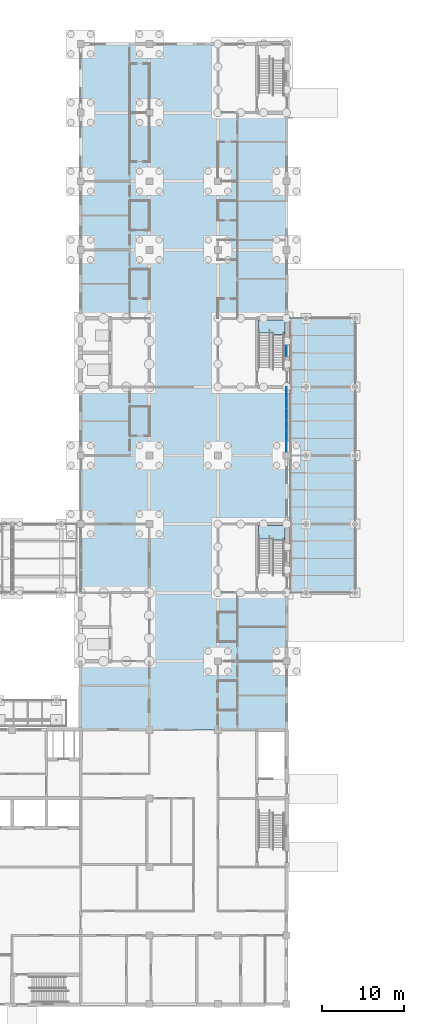
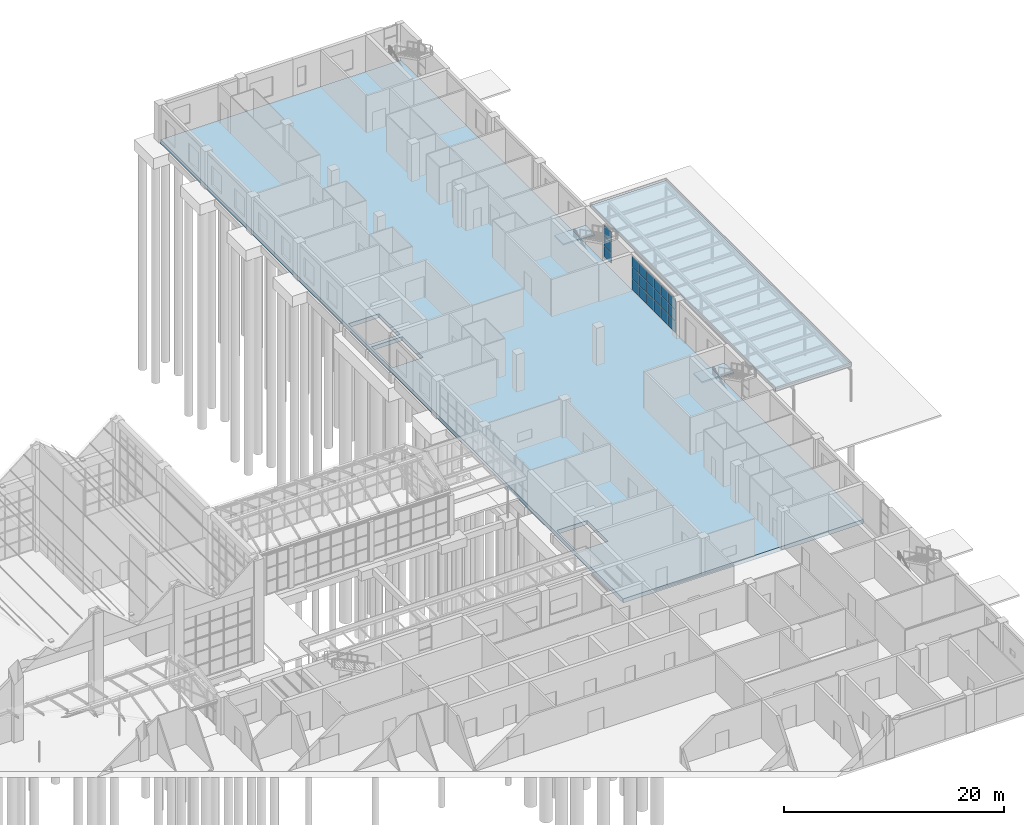
# One storey, part 91 of 138: 21 plates, 4 slabs, 4 elements without a shape of their own.
"""IFC4 building model written with IfcOpenShell, lengths in metres."""

from ifc_helpers import new_model, si_unit, direction, frame, origin, origin_2d, place, context, subcontext, project, spatial, polyline, rectangle, outline, extrude, material, layer, layer_set, type_object, element, aggregate, save


model = new_model("IFC4")

# Units and contexts
model_context = context("Model", 3, precision=1e-05, world=origin(), true_north=direction((0.0, 1.0)))
body_context = subcontext(model_context, "Body", "Model", "MODEL_VIEW")
ifc_project = project(units=[si_unit("LENGTHUNIT", "METRE"), si_unit("AREAUNIT", "SQUARE_METRE"), si_unit("VOLUMEUNIT", "CUBIC_METRE"), si_unit("PLANEANGLEUNIT", "RADIAN"), si_unit("MASSUNIT", "GRAM", prefix="KILO")], contexts=[model_context])

# Site, building, storey
site_placement = place(None, origin())
site = spatial("IfcSite", under=ifc_project, at=site_placement, CompositionType="ELEMENT")
building_placement = place(site_placement, origin())
building = spatial("IfcBuilding", under=site, at=building_placement, Name="Yavir Park General Hospital", CompositionType="ELEMENT")
storey_placement = place(building_placement, origin())
storey = spatial("IfcBuildingStorey", under=building, at=storey_placement, Name="L00", CompositionType="ELEMENT", Elevation=0.0)

# Curtain wall, plates
ifc_material_1 = material(Name="Aluminium curtain wall frame with insulated glazing", Category="aluminium")
curtain_wall_type_1 = type_object("IfcCurtainWallType", Name="Ambulance entrance glazing, 3840 high, 1400 module", PredefinedType="NOTDEFINED", material=ifc_material_1)
curtain_wall_1_placement = place(storey_placement, origin())
curtain_wall_1 = element("IfcCurtainWall", 1, at=curtain_wall_1_placement, inside=storey, type_object=curtain_wall_type_1, Name="CW13 L00-075", PredefinedType="NOTDEFINED")
ifc_material_2 = material(Name="Impact-resistant glazed unit 60 mm")
ifc_layer_1 = layer(ifc_material_2, 0.06005859375)
ifc_layer_set_1 = layer_set([ifc_layer_1], Name="Impact-resistant glazed unit 60 mm")
plate_type_1 = type_object("IfcPlateType", Name="Ambulance entrance glazing, 3840 high panel 60", PredefinedType="CURTAIN_PANEL", material=ifc_layer_set_1)
plate_1_placement = place(storey_placement, frame((168.0, 68.3046875, 0.06005859375), z_axis=(0.0, 0.0, 1.0), x_axis=(0.0, 1.0, 0.0)))
plate_1 = element("IfcPlate", 2, at=plate_1_placement, type_object=plate_type_1, Name="CW13 panel 1.1", PredefinedType="CURTAIN_PANEL", context=body_context, shape_type="SweptSolid", body=[
    extrude(rectangle(XDim=1.2392578125, YDim=0.06005859375, at=origin_2d()), origin(), (0.0, 0.0, 1.0), 1.18994140625),
])
plate_2_placement = place(storey_placement, frame((168.0, 68.3046875, 1.31005859375), z_axis=(0.0, 0.0, 1.0), x_axis=(0.0, 1.0, 0.0)))
plate_2 = element("IfcPlate", 3, at=plate_2_placement, type_object=plate_type_1, Name="CW13 panel 1.2", PredefinedType="CURTAIN_PANEL", context=body_context, shape_type="SweptSolid", body=[
    extrude(rectangle(XDim=1.2392578125, YDim=0.06005859375, at=origin_2d()), origin(), (0.0, 0.0, 1.0), 1.219970703125),
])
plate_3_placement = place(storey_placement, frame((168.0, 68.3046875, 2.590087890625), z_axis=(0.0, 0.0, 1.0), x_axis=(0.0, 1.0, 0.0)))
plate_3 = element("IfcPlate", 4, at=plate_3_placement, type_object=plate_type_1, Name="CW13 panel 1.3", PredefinedType="CURTAIN_PANEL", context=body_context, shape_type="SweptSolid", body=[
    extrude(rectangle(XDim=1.2392578125, YDim=0.06005859375, at=origin_2d()), origin(), (0.0, 0.0, 1.0), 1.18994140625),
])
plate_4_placement = place(storey_placement, frame((168.0, 69.61865234375, 0.06005859375), z_axis=(0.0, 0.0, 1.0), x_axis=(0.0, 1.0, 0.0)))
plate_4 = element("IfcPlate", 5, at=plate_4_placement, type_object=plate_type_1, Name="CW13 panel 2.1", PredefinedType="CURTAIN_PANEL", context=body_context, shape_type="SweptSolid", body=[
    extrude(rectangle(XDim=1.269287109375, YDim=0.06005859375, at=origin_2d()), origin(), (0.0, 0.0, 1.0), 1.18994140625),
])
plate_5_placement = place(storey_placement, frame((168.0, 69.61865234375, 1.31005859375), z_axis=(0.0, 0.0, 1.0), x_axis=(0.0, 1.0, 0.0)))
plate_5 = element("IfcPlate", 6, at=plate_5_placement, type_object=plate_type_1, Name="CW13 panel 2.2", PredefinedType="CURTAIN_PANEL", context=body_context, shape_type="SweptSolid", body=[
    extrude(rectangle(XDim=1.269287109375, YDim=0.06005859375, at=origin_2d()), origin(), (0.0, 0.0, 1.0), 1.219970703125),
])
plate_6_placement = place(storey_placement, frame((168.0, 69.61865234375, 2.590087890625), z_axis=(0.0, 0.0, 1.0), x_axis=(0.0, 1.0, 0.0)))
plate_6 = element("IfcPlate", 7, at=plate_6_placement, type_object=plate_type_1, Name="CW13 panel 2.3", PredefinedType="CURTAIN_PANEL", context=body_context, shape_type="SweptSolid", body=[
    extrude(rectangle(XDim=1.269287109375, YDim=0.06005859375, at=origin_2d()), origin(), (0.0, 0.0, 1.0), 1.18994140625),
])
plate_7_placement = place(storey_placement, frame((168.0, 70.947998046875, 0.06005859375), z_axis=(0.0, 0.0, 1.0), x_axis=(0.0, 1.0, 0.0)))
plate_7 = element("IfcPlate", 8, at=plate_7_placement, type_object=plate_type_1, Name="CW13 panel 3.1", PredefinedType="CURTAIN_PANEL", context=body_context, shape_type="SweptSolid", body=[
    extrude(rectangle(XDim=1.269287109375, YDim=0.06005859375, at=origin_2d()), origin(), (0.0, 0.0, 1.0), 1.18994140625),
])
plate_8_placement = place(storey_placement, frame((168.0, 70.947998046875, 1.31005859375), z_axis=(0.0, 0.0, 1.0), x_axis=(0.0, 1.0, 0.0)))
plate_8 = element("IfcPlate", 9, at=plate_8_placement, type_object=plate_type_1, Name="CW13 panel 3.2", PredefinedType="CURTAIN_PANEL", context=body_context, shape_type="SweptSolid", body=[
    extrude(rectangle(XDim=1.269287109375, YDim=0.06005859375, at=origin_2d()), origin(), (0.0, 0.0, 1.0), 1.219970703125),
])
plate_9_placement = place(storey_placement, frame((168.0, 70.947998046875, 2.590087890625), z_axis=(0.0, 0.0, 1.0), x_axis=(0.0, 1.0, 0.0)))
plate_9 = element("IfcPlate", 10, at=plate_9_placement, type_object=plate_type_1, Name="CW13 panel 3.3", PredefinedType="CURTAIN_PANEL", context=body_context, shape_type="SweptSolid", body=[
    extrude(rectangle(XDim=1.269287109375, YDim=0.06005859375, at=origin_2d()), origin(), (0.0, 0.0, 1.0), 1.18994140625),
])
plate_10_placement = place(storey_placement, frame((168.0, 72.277099609375, 0.06005859375), z_axis=(0.0, 0.0, 1.0), x_axis=(0.0, 1.0, 0.0)))
plate_10 = element("IfcPlate", 11, at=plate_10_placement, type_object=plate_type_1, Name="CW13 panel 4.1", PredefinedType="CURTAIN_PANEL", context=body_context, shape_type="SweptSolid", body=[
    extrude(rectangle(XDim=1.269287109375, YDim=0.06005859375, at=origin_2d()), origin(), (0.0, 0.0, 1.0), 1.18994140625),
])
plate_11_placement = place(storey_placement, frame((168.0, 72.277099609375, 1.31005859375), z_axis=(0.0, 0.0, 1.0), x_axis=(0.0, 1.0, 0.0)))
plate_11 = element("IfcPlate", 12, at=plate_11_placement, type_object=plate_type_1, Name="CW13 panel 4.2", PredefinedType="CURTAIN_PANEL", context=body_context, shape_type="SweptSolid", body=[
    extrude(rectangle(XDim=1.269287109375, YDim=0.06005859375, at=origin_2d()), origin(), (0.0, 0.0, 1.0), 1.219970703125),
])
plate_12_placement = place(storey_placement, frame((168.0, 72.277099609375, 2.590087890625), z_axis=(0.0, 0.0, 1.0), x_axis=(0.0, 1.0, 0.0)))
plate_12 = element("IfcPlate", 13, at=plate_12_placement, type_object=plate_type_1, Name="CW13 panel 4.3", PredefinedType="CURTAIN_PANEL", context=body_context, shape_type="SweptSolid", body=[
    extrude(rectangle(XDim=1.269287109375, YDim=0.06005859375, at=origin_2d()), origin(), (0.0, 0.0, 1.0), 1.18994140625),
])
plate_13_placement = place(storey_placement, frame((168.0, 73.606201171875, 0.06005859375), z_axis=(0.0, 0.0, 1.0), x_axis=(0.0, 1.0, 0.0)))
plate_13 = element("IfcPlate", 14, at=plate_13_placement, type_object=plate_type_1, Name="CW13 panel 5.1", PredefinedType="CURTAIN_PANEL", context=body_context, shape_type="SweptSolid", body=[
    extrude(rectangle(XDim=1.269287109375, YDim=0.06005859375, at=origin_2d()), origin(), (0.0, 0.0, 1.0), 1.18994140625),
])
plate_14_placement = place(storey_placement, frame((168.0, 73.606201171875, 1.31005859375), z_axis=(0.0, 0.0, 1.0), x_axis=(0.0, 1.0, 0.0)))
plate_14 = element("IfcPlate", 15, at=plate_14_placement, type_object=plate_type_1, Name="CW13 panel 5.2", PredefinedType="CURTAIN_PANEL", context=body_context, shape_type="SweptSolid", body=[
    extrude(rectangle(XDim=1.269287109375, YDim=0.06005859375, at=origin_2d()), origin(), (0.0, 0.0, 1.0), 1.219970703125),
])
plate_15_placement = place(storey_placement, frame((168.0, 73.606201171875, 2.590087890625), z_axis=(0.0, 0.0, 1.0), x_axis=(0.0, 1.0, 0.0)))
plate_15 = element("IfcPlate", 16, at=plate_15_placement, type_object=plate_type_1, Name="CW13 panel 5.3", PredefinedType="CURTAIN_PANEL", context=body_context, shape_type="SweptSolid", body=[
    extrude(rectangle(XDim=1.269287109375, YDim=0.06005859375, at=origin_2d()), origin(), (0.0, 0.0, 1.0), 1.18994140625),
])
plate_16_placement = place(storey_placement, frame((168.0, 74.92041015625, 0.06005859375), z_axis=(0.0, 0.0, 1.0), x_axis=(0.0, 1.0, 0.0)))
plate_16 = element("IfcPlate", 17, at=plate_16_placement, type_object=plate_type_1, Name="CW13 panel 6.1", PredefinedType="CURTAIN_PANEL", context=body_context, shape_type="SweptSolid", body=[
    extrude(rectangle(XDim=1.2392578125, YDim=0.06005859375, at=origin_2d()), origin(), (0.0, 0.0, 1.0), 1.18994140625),
])
plate_17_placement = place(storey_placement, frame((168.0, 74.92041015625, 1.31005859375), z_axis=(0.0, 0.0, 1.0), x_axis=(0.0, 1.0, 0.0)))
plate_17 = element("IfcPlate", 18, at=plate_17_placement, type_object=plate_type_1, Name="CW13 panel 6.2", PredefinedType="CURTAIN_PANEL", context=body_context, shape_type="SweptSolid", body=[
    extrude(rectangle(XDim=1.2392578125, YDim=0.06005859375, at=origin_2d()), origin(), (0.0, 0.0, 1.0), 1.219970703125),
])
plate_18_placement = place(storey_placement, frame((168.0, 74.92041015625, 2.590087890625), z_axis=(0.0, 0.0, 1.0), x_axis=(0.0, 1.0, 0.0)))
plate_18 = element("IfcPlate", 19, at=plate_18_placement, type_object=plate_type_1, Name="CW13 panel 6.3", PredefinedType="CURTAIN_PANEL", context=body_context, shape_type="SweptSolid", body=[
    extrude(rectangle(XDim=1.2392578125, YDim=0.06005859375, at=origin_2d()), origin(), (0.0, 0.0, 1.0), 1.18994140625),
])
aggregate(curtain_wall_1, [plate_1, plate_2, plate_3, plate_4, plate_5, plate_6, plate_7, plate_8, plate_9, plate_10, plate_11, plate_12, plate_13, plate_14, plate_15, plate_16, plate_17, plate_18])

# Stair, slab
ifc_material_3 = material(Name="Concrete C30/37", Category="concrete")
stair_type = type_object("IfcStairType", Name="Patient escape stair, 30 risers of 150 mm, 1400 mm flights", PredefinedType="HALF_TURN_STAIR", material=ifc_material_3)
stair_1_placement = place(storey_placement, origin())
stair_1 = element("IfcStair", 20, at=stair_1_placement, inside=storey, type_object=stair_type, Name="Stair ES1, L00 to L01", PredefinedType="HALF_TURN_STAIR")
ifc_material_4 = material(Name="Concrete C30/37", Category="concrete")
ifc_layer_2 = layer(ifc_material_4, 0.159912109375)
ifc_layer_set_2 = layer_set([ifc_layer_2], Name="Concrete C30/37")
slab_type_1 = type_object("IfcSlabType", Name="Patient escape stair half landing, reinforced concrete 160 mm", PredefinedType="LANDING", material=ifc_layer_set_2)
slab_1_placement = place(storey_placement, frame((0.0, 0.0, 2.090087890625)))
slab_1 = element("IfcSlab", 21, at=slab_1_placement, type_object=slab_type_1, Name="ES1 landing 1", PredefinedType="LANDING", context=body_context, shape_type="SweptSolid", body=[
    extrude(outline(polyline([(164.60009765625, 56.99853515625), (164.60009765625, 58.60009765625), (167.85009765625, 58.60009765625), (167.85009765625, 56.85009765625), (166.300048828125, 56.85009765625), (166.300048828125, 56.99853515625), (164.60009765625, 56.99853515625)])), origin(), (0.0, 0.0, 1.0), 0.159912109375),
])
aggregate(stair_1, [slab_1])

stair_2_placement = place(storey_placement, origin())
stair_2 = element("IfcStair", 22, at=stair_2_placement, inside=storey, type_object=stair_type, Name="Stair ES2, L00 to L01", PredefinedType="HALF_TURN_STAIR")
slab_2_placement = place(storey_placement, frame((0.0, 0.0, 2.090087890625)))
slab_2 = element("IfcSlab", 23, at=slab_2_placement, type_object=slab_type_1, Name="ES2 landing 1", PredefinedType="LANDING", context=body_context, shape_type="SweptSolid", body=[
    extrude(outline(polyline([(164.60009765625, 82.198486328125), (164.60009765625, 83.800048828125), (167.85009765625, 83.800048828125), (167.85009765625, 82.050048828125), (166.300048828125, 82.050048828125), (166.300048828125, 82.198486328125), (164.60009765625, 82.198486328125)])), origin(), (0.0, 0.0, 1.0), 0.159912109375),
])
aggregate(stair_2, [slab_2])

# Slabs
ifc_material_5 = material(Name="Concrete C35/45", Category="concrete")
ifc_layer_3 = layer(ifc_material_5, 0.449951171875)
ifc_layer_set_3 = layer_set([ifc_layer_3], Name="Concrete C35/45")
slab_type_2 = type_object("IfcSlabType", Name="RC SLAB BASESLAB 450", PredefinedType="BASESLAB", material=ifc_layer_set_3)
slab_3_placement = place(storey_placement, frame((0.0, 0.0, -0.4501953125)))
element("IfcSlab", 24, at=slab_3_placement, inside=storey, type_object=slab_type_2, Name="S:L00:3", PredefinedType="BASESLAB", context=body_context, shape_type="SweptSolid", body=[
    extrude(outline(polyline([(168.0, 117.60009765625), (142.800048828125, 117.60009765625), (142.800048828125, 33.60009765625), (168.0, 33.60009765625), (168.0, 117.60009765625)]), holes=[polyline([(146.199951171875, 42.199951171875), (143.0, 42.199951171875), (143.0, 46.0), (146.199951171875, 46.0), (146.199951171875, 42.199951171875)]), polyline([(146.199951171875, 75.800048828125), (143.0, 75.800048828125), (143.0, 79.60009765625), (146.199951171875, 79.60009765625), (146.199951171875, 75.800048828125)]), polyline([(146.199951171875, 80.0), (143.0, 80.0), (143.0, 83.800048828125), (146.199951171875, 83.800048828125), (146.199951171875, 80.0)])]), origin(), (0.0, 0.0, 1.0), 0.4501953125),
])
ifc_material_6 = material(Name="Concrete C35/45", Category="concrete")
ifc_layer_4 = layer(ifc_material_6, 0.25)
ifc_layer_set_4 = layer_set([ifc_layer_4], Name="Concrete C35/45")
slab_type_3 = type_object("IfcSlabType", Name="RC SLAB ROOF 250", PredefinedType="ROOF", material=ifc_layer_set_4)
slab_4_placement = place(storey_placement, frame((0.0, 0.0, 3.85009765625)))
element("IfcSlab", 25, at=slab_4_placement, inside=storey, type_object=slab_type_3, Name="RF:AMB:slab", PredefinedType="ROOF", context=body_context, shape_type="SweptSolid", body=[
    extrude(outline(polyline([(176.39990234375, 50.39990234375), (176.39990234375, 84.0), (168.5, 84.0), (168.5, 50.39990234375), (176.39990234375, 50.39990234375)])), origin(), (0.0, 0.0, 1.0), 0.25),
])

# Curtain wall, plates
ifc_material_7 = material(Name="Aluminium curtain wall frame with insulated glazing", Category="aluminium")
curtain_wall_type_2 = type_object("IfcCurtainWallType", Name="Stair light slot, ground floor, 3540 high, 1400 module", PredefinedType="NOTDEFINED", material=ifc_material_7)
curtain_wall_2_placement = place(storey_placement, origin())
curtain_wall_2 = element("IfcCurtainWall", 26, at=curtain_wall_2_placement, inside=storey, type_object=curtain_wall_type_2, Name="CW19 L00-076", PredefinedType="NOTDEFINED")
ifc_material_8 = material(Name="Impact-resistant glazed unit 60 mm")
ifc_layer_5 = layer(ifc_material_8, 0.06005859375)
ifc_layer_set_5 = layer_set([ifc_layer_5], Name="Impact-resistant glazed unit 60 mm")
plate_type_2 = type_object("IfcPlateType", Name="Stair light slot, ground floor, 3540 high panel 60", PredefinedType="CURTAIN_PANEL", material=ifc_layer_set_5)
plate_19_placement = place(storey_placement, frame((168.0, 80.0, 0.64990234375), z_axis=(0.0, 0.0, 1.0), x_axis=(0.0, 1.0, 0.0)))
plate_19 = element("IfcPlate", 27, at=plate_19_placement, type_object=plate_type_2, Name="CW19 panel 1.1", PredefinedType="CURTAIN_PANEL", context=body_context, shape_type="SweptSolid", body=[
    extrude(rectangle(XDim=1.300048828125, YDim=0.06005859375, at=origin_2d()), origin(), (0.0, 0.0, 1.0), 1.10498046875),
])
plate_20_placement = place(storey_placement, frame((168.0, 80.0, 1.80517578125), z_axis=(0.0, 0.0, 1.0), x_axis=(0.0, 1.0, 0.0)))
plate_20 = element("IfcPlate", 28, at=plate_20_placement, type_object=plate_type_2, Name="CW19 panel 1.2", PredefinedType="CURTAIN_PANEL", context=body_context, shape_type="SweptSolid", body=[
    extrude(rectangle(XDim=1.300048828125, YDim=0.06005859375, at=origin_2d()), origin(), (0.0, 0.0, 1.0), 1.1298828125),
])
plate_21_placement = place(storey_placement, frame((168.0, 80.0, 2.985107421875), z_axis=(0.0, 0.0, 1.0), x_axis=(0.0, 1.0, 0.0)))
plate_21 = element("IfcPlate", 29, at=plate_21_placement, type_object=plate_type_2, Name="CW19 panel 1.3", PredefinedType="CURTAIN_PANEL", context=body_context, shape_type="SweptSolid", body=[
    extrude(rectangle(XDim=1.300048828125, YDim=0.06005859375, at=origin_2d()), origin(), (0.0, 0.0, 1.0), 1.10498046875),
])
aggregate(curtain_wall_2, [plate_19, plate_20, plate_21])

save(model, "model.ifc")
